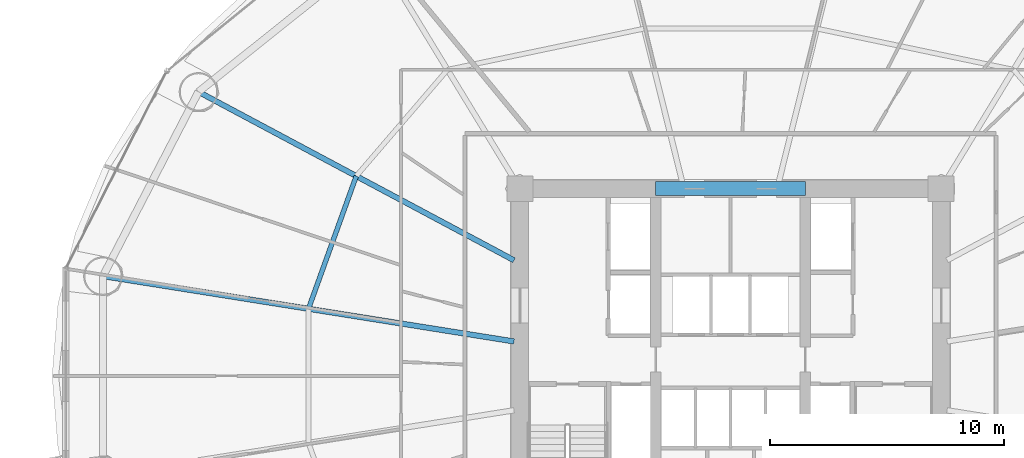
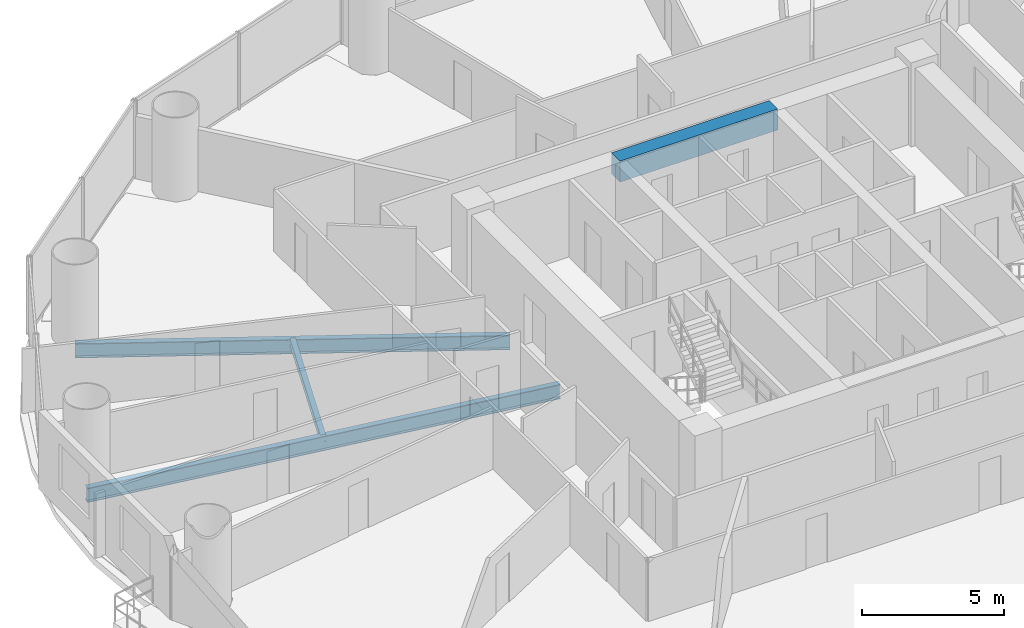
# One storey, part 7 of 28: 4 beams.
"""IFC4 building model written with IfcOpenShell, lengths in metres."""

from ifc_helpers import new_model, si_unit, direction, frame, origin, origin_2d, place, context, subcontext, project, spatial, rectangle, i_section, extrude, material, material_profile, profile_set, type_object, element, save


model = new_model("IFC4")

# Units and contexts
model_context = context("Model", 3, precision=1e-05, world=origin(), true_north=direction((-0.2419218956, 0.970295726276)))
body_context = subcontext(model_context, "Body", "Model", "MODEL_VIEW")
ifc_project = project(units=[si_unit("LENGTHUNIT", "METRE"), si_unit("AREAUNIT", "SQUARE_METRE"), si_unit("VOLUMEUNIT", "CUBIC_METRE"), si_unit("PLANEANGLEUNIT", "RADIAN"), si_unit("MASSUNIT", "GRAM", prefix="KILO")], contexts=[model_context])

# Site, building, storey
site_placement = place(None, origin())
site = spatial("IfcSite", under=ifc_project, at=site_placement, CompositionType="ELEMENT")
building_placement = place(site_placement, origin())
building = spatial("IfcBuilding", under=site, at=building_placement, Name="Cobrevalo Terracotta Tower", CompositionType="ELEMENT")
storey_placement = place(building_placement, frame((0.0, 0.0, 38.39990234375)))
storey = spatial("IfcBuildingStorey", under=building, at=storey_placement, Name="L09", CompositionType="ELEMENT", Elevation=38.39990234375)

# Beams
ifc_material_1 = material(Name="Concrete C60", Category="concrete")
ifc_material_profile_1 = material_profile(ifc_material_1, rectangle(XDim=0.60009765625, YDim=0.89990234375, at=origin_2d()), Name="RC CB 600x900")
ifc_profile_set_1 = profile_set([ifc_material_profile_1], Name="Concrete C60")
beam_type_1 = type_object("IfcBeamType", Name="Structural Beam RC CB 600x900 (Concrete C60)", PredefinedType="BEAM", material=ifc_profile_set_1)
beam_1_placement = place(storey_placement, frame((34.800048828125, 34.800048828125, 2.8701171875), z_axis=(1.0, 0.0, 0.0), x_axis=(0.0, 1.0, 0.0)))
element("IfcBeam", 1, at=beam_1_placement, inside=storey, type_object=beam_type_1, Name="L09 core coupling beam 2", PredefinedType="BEAM", context=body_context, shape_type="SweptSolid", body=[
    extrude(rectangle(XDim=0.60009765625, YDim=0.89990234375, at=origin_2d()), origin(), (0.0, 0.0, 1.0), 6.39990234375),
])
ifc_material_2 = material(Name="Steel S355", Category="steel")
ifc_material_profile_2 = material_profile(ifc_material_2, i_section(OverallWidth=0.22998046875, OverallDepth=0.616943359375, WebThickness=0.01318359375, FlangeThickness=0.022216796875, at=origin_2d()), Name="W 610x140")
ifc_profile_set_2 = profile_set([ifc_material_profile_2], Name="Steel S355")
beam_type_2 = type_object("IfcBeamType", Name="Structural Beam W 610x140 (Steel S355)", PredefinedType="BEAM", material=ifc_profile_set_2)
beam_2_placement = place(storey_placement, frame((15.25927734375, 38.939208984375, -0.58837890625), z_axis=(0.88218223571, -0.470908168329, 0.0), x_axis=(0.470908168329, 0.88218223571, 0.0)))
element("IfcBeam", 2, at=beam_2_placement, inside=storey, type_object=beam_type_2, Name="L09 radial floor girder 07", PredefinedType="BEAM", context=body_context, shape_type="SweptSolid", body=[
    extrude(i_section(OverallWidth=0.22998046875, OverallDepth=0.616943359375, WebThickness=0.01318359375, FlangeThickness=0.022216796875, at=origin_2d()), origin(), (0.0, 0.0, 1.0), 15.286865234375),
])
beam_3_placement = place(storey_placement, frame((11.175537109375, 31.062744140625, -0.58837890625), z_axis=(0.987607924622, -0.156941349628, 0.0), x_axis=(0.156941349628, 0.987607924622, 0.0)))
element("IfcBeam", 3, at=beam_3_placement, inside=storey, type_object=beam_type_2, Name="L09 radial floor girder 08", PredefinedType="BEAM", context=body_context, shape_type="SweptSolid", body=[
    extrude(i_section(OverallWidth=0.22998046875, OverallDepth=0.616943359375, WebThickness=0.01318359375, FlangeThickness=0.022216796875, at=origin_2d()), origin(), (0.0, 0.0, 1.0), 17.7900390625),
])
ifc_material_profile_3 = material_profile(ifc_material_2, i_section(OverallWidth=0.2041015625, OverallDepth=0.305908203125, WebThickness=0.008544921875, FlangeThickness=0.0146484375, at=origin_2d()), Name="W 310x67")
ifc_profile_set_3 = profile_set([ifc_material_profile_3], Name="Steel S355")
beam_type_3 = type_object("IfcBeamType", Name="Structural Joist W 310x67 (Steel S355)", PredefinedType="JOIST", material=ifc_profile_set_3)
beam_4_placement = place(storey_placement, frame((22.002197265625, 35.33984375, -0.432861328125), z_axis=(-0.338672151116, -0.940904444701, 0.0), x_axis=(0.940904444701, -0.338672151116, 0.0)))
element("IfcBeam", 4, at=beam_4_placement, inside=storey, type_object=beam_type_3, Name="L09 circumferential secondary floor joist 07", PredefinedType="JOIST", context=body_context, shape_type="SweptSolid", body=[
    extrude(i_section(OverallWidth=0.2041015625, OverallDepth=0.305908203125, WebThickness=0.008544921875, FlangeThickness=0.0146484375, at=origin_2d()), origin(), (0.0, 0.0, 1.0), 6.029296875),
])

save(model, "model.ifc")
